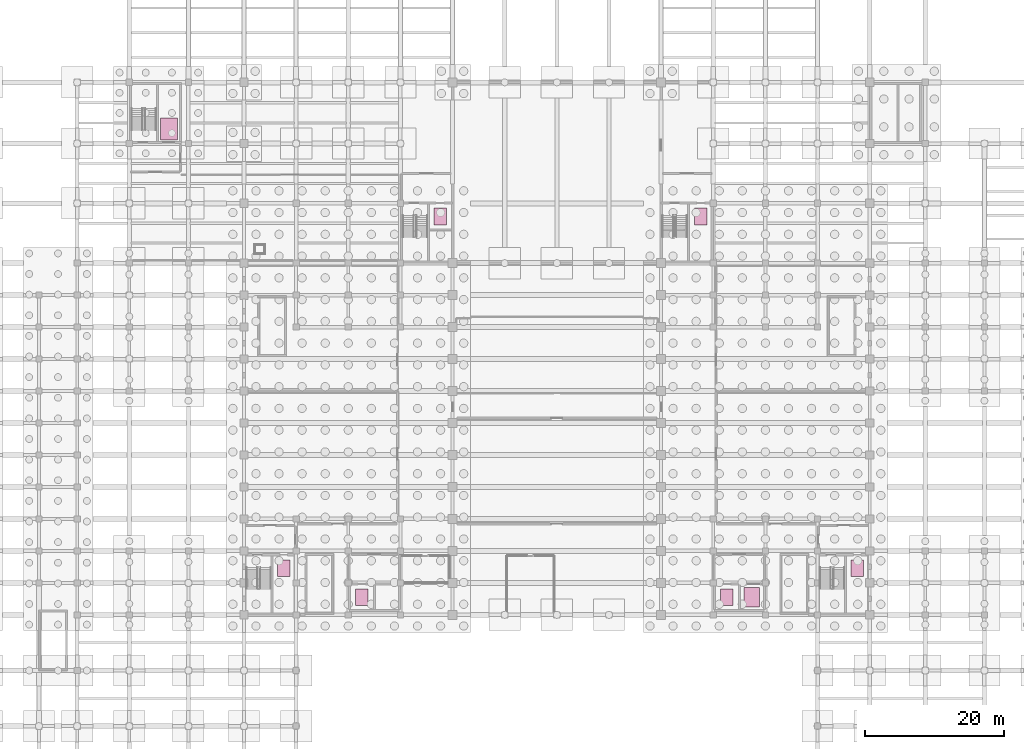
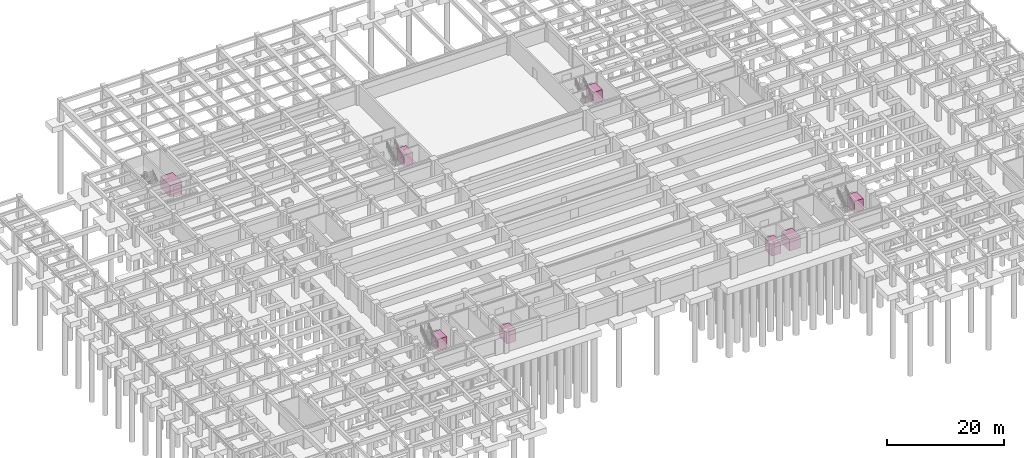
# One storey, part 32 of 32: 8 transport elements.
"""IFC4 building model written with IfcOpenShell, lengths in metres."""

import ifcopenshell
import ifcopenshell.guid

model = None  # the IFC model being written
_history = None  # IfcOwnerHistory: only IFC2X3 demands one
_inside = {}  # id of a spatial element -> (the spatial element, [elements in it])
_under = {}  # id of a project, library or spatial element -> (it, [spatial elements below it])
_declared = {}  # id of a project -> (the project, [libraries it declares])
_typed = {}  # id of a type object -> (the type object, [elements of that type])
_made_of = {}  # id of a material, layer set ... -> (it, [elements and type objects made of it])


def new_model(schema):
    """Start an empty IFC model of exactly this schema.

    Asked for "IFC4X3", IfcOpenShell would pick the latest addendum, in which some entities
    have other attributes; the version numbers below select the first issue.
    IFC2X3 requires an IfcOwnerHistory on every rooted entity: one is made here for all.
    """
    global model, _history
    if schema == "IFC4X3":
        model = ifcopenshell.file(schema_version=(4, 3, 0, 0))
    else:
        model = ifcopenshell.file(schema=schema)
    _inside.clear()
    _under.clear()
    _declared.clear()
    _typed.clear()
    _made_of.clear()
    _history = None
    if model.schema == "IFC2X3":
        org = make("IfcOrganization", Name="unknown")
        user = make(
            "IfcPersonAndOrganization",
            ThePerson=make("IfcPerson", FamilyName="unknown"),
            TheOrganization=org,
        )
        app = make(
            "IfcApplication",
            ApplicationDeveloper=org,
            Version="unknown",
            ApplicationFullName="unknown",
            ApplicationIdentifier="unknown",
        )
        _history = make(
            "IfcOwnerHistory",
            OwningUser=user,
            OwningApplication=app,
            ChangeAction="ADDED",
            CreationDate=0,
        )
    return model


def make(cls, **values):
    """One entity of the class cls with the attributes given. An attribute that is None is left unset."""
    return model.create_entity(
        cls, **{name: value for name, value in values.items() if value is not None}
    )


def rooted(cls, **values):
    """An entity with a GlobalId (a new one), such as an element, a storey or a relation."""
    return make(cls, GlobalId=ifcopenshell.guid.new(), OwnerHistory=_history, **values)


def si_unit(unit_type, name, prefix=None):
    """IfcSIUnit, for example si_unit("LENGTHUNIT", "METRE", prefix="MILLI")."""
    return make("IfcSIUnit", UnitType=unit_type, Prefix=prefix, Name=name)


def assignment(units):
    """IfcUnitAssignment: the units of a project."""
    return None if units is None else make("IfcUnitAssignment", Units=units)


def point(xyz):
    """IfcCartesianPoint."""
    return None if xyz is None else make("IfcCartesianPoint", Coordinates=xyz)


def direction(xyz):
    """IfcDirection."""
    return None if xyz is None else make("IfcDirection", DirectionRatios=xyz)


def frame(location, z_axis=None, x_axis=None):
    """IfcAxis2Placement3D, a coordinate frame: its origin and axes. An axis left out is left unset."""
    return make(
        "IfcAxis2Placement3D",
        Location=point(location),
        Axis=direction(z_axis),
        RefDirection=direction(x_axis),
    )


def frame_2d(location, x_axis=None):
    """IfcAxis2Placement2D, a coordinate frame in the plane: its origin and x axis."""
    return make(
        "IfcAxis2Placement2D", Location=point(location), RefDirection=direction(x_axis)
    )


def origin():
    """The frame at (0, 0, 0) with its axes left unset."""
    return frame((0.0, 0.0, 0.0))


def origin_2d():
    """The frame at (0, 0) in the plane with its x axis left unset."""
    return frame_2d((0.0, 0.0))


def place(relative_to, where):
    """IfcLocalPlacement: puts the frame where relative to a parent placement (None: the world)."""
    return make(
        "IfcLocalPlacement", PlacementRelTo=relative_to, RelativePlacement=where
    )


def context(
    kind, dimensions, precision=None, world=None, true_north=None, identifier=None
):
    """IfcGeometricRepresentationContext, for example the 3D "Model" context."""
    return make(
        "IfcGeometricRepresentationContext",
        ContextIdentifier=identifier,
        ContextType=kind,
        CoordinateSpaceDimension=dimensions,
        Precision=precision,
        WorldCoordinateSystem=world,
        TrueNorth=true_north,
    )


def subcontext(parent, identifier, kind, view, scale=None):
    """IfcGeometricRepresentationSubContext, for example "Body" below "Model"."""
    return make(
        "IfcGeometricRepresentationSubContext",
        ContextIdentifier=identifier,
        ContextType=kind,
        ParentContext=parent,
        TargetScale=scale,
        TargetView=view,
    )


def project(units=None, contexts=None):
    """IfcProject with its units and contexts."""
    return rooted(
        "IfcProject",
        Name="project",
        RepresentationContexts=contexts,
        UnitsInContext=assignment(units),
    )


def spatial(cls, under=None, at=None, **own):
    """A site, building, storey or space (cls), placed at a placement, below another one or the project."""
    s = rooted(cls, ObjectPlacement=at, **own)
    if under is not None:
        _under.setdefault(under.id(), (under, []))[1].append(s)
    return s


def profile(cls, at=None, kind="AREA", **sizes):
    """A parametric profile (cls). Its sizes go by their IFC names, for example OverallWidth=200.0."""
    return make(cls, ProfileType=kind, Position=at, **sizes)


def rectangle(**sizes):
    """IfcRectangleProfileDef."""
    return profile("IfcRectangleProfileDef", **sizes)


def extrude(swept, where, along, depth):
    """IfcExtrudedAreaSolid: the profile swept, set in the frame where, extruded along a direction by depth."""
    return make(
        "IfcExtrudedAreaSolid",
        SweptArea=swept,
        Position=where,
        ExtrudedDirection=direction(along),
        Depth=depth,
    )


def shape(context_of_items, identifier, shape_type, items):
    """IfcShapeRepresentation: the items that make up one representation, for example the "Body"."""
    return make(
        "IfcShapeRepresentation",
        ContextOfItems=context_of_items,
        RepresentationIdentifier=identifier,
        RepresentationType=shape_type,
        Items=items,
    )


def material(Name=None, Category=None):
    """IfcMaterial."""
    return make("IfcMaterial", Name=Name, Category=Category)


def made_of(thing, what):
    """Note that an element or type object is made of a material, layer set ...; save() writes the relation."""
    if what is not None:
        _made_of.setdefault(what.id(), (what, []))[1].append(thing)
    return thing


def type_object(cls, material=None, **own):
    """A type object (cls), such as IfcWallType, which elements share."""
    return made_of(rooted(cls, **own), material)


def element(
    cls,
    number,
    at=None,
    inside=None,
    cuts=None,
    type_object=None,
    material=None,
    context=None,
    identifier="Body",
    shape_type=None,
    held_by="IfcProductDefinitionShape",
    body=None,
    shapes=None,
    **own,
):
    """One element of the class cls, such as IfcWall. Its Tag is "e" and its number.

    at: its placement. inside: the storey or other place that contains it. cuts: it is an
    opening in that element (IfcRelVoidsElement). A single representation is given by context,
    identifier, shape_type and body (its items); several are given by shapes. held_by: the class
    of the entity that holds the representations. save() writes the other relations.
    """
    e = rooted(cls, Tag="e%d" % number, ObjectPlacement=at, **own)
    if body is not None:
        shapes = [shape(context, identifier, shape_type, body)]
    if shapes is not None:
        e.Representation = make(held_by, Representations=shapes)
    if inside is not None:
        _inside.setdefault(inside.id(), (inside, []))[1].append(e)
    if cuts is not None:
        rooted(
            "IfcRelVoidsElement", RelatingBuildingElement=cuts, RelatedOpeningElement=e
        )
    if type_object is not None:
        _typed.setdefault(type_object.id(), (type_object, []))[1].append(e)
    return made_of(e, material)


def aggregate(whole, parts):
    """IfcRelAggregates: a whole, such as a stair, and the parts it consists of."""
    return rooted("IfcRelAggregates", RelatingObject=whole, RelatedObjects=parts)


def save(model, path):
    """Write the relations noted so far, then the file.

    IfcRelAggregates (storeys below a building ...), IfcRelContainedInSpatialStructure (elements
    in a storey), IfcRelDefinesByType, IfcRelAssociatesMaterial and IfcRelDeclares: one each for
    every whole, place, type object, material and project.
    """
    for whole, parts in _under.values():
        aggregate(whole, parts)
    for where, things in _inside.values():
        rooted(
            "IfcRelContainedInSpatialStructure",
            RelatedElements=things,
            RelatingStructure=where,
        )
    for kind, things in _typed.values():
        rooted("IfcRelDefinesByType", RelatedObjects=things, RelatingType=kind)
    for what, things in _made_of.values():
        rooted("IfcRelAssociatesMaterial", RelatedObjects=things, RelatingMaterial=what)
    for by, libraries in _declared.values():
        rooted("IfcRelDeclares", RelatingContext=by, RelatedDefinitions=libraries)
    model.write(path)


model = new_model("IFC4")

# Units and contexts
model_context = context("Model", 3, precision=1e-05, world=origin(), true_north=direction((0.0, 1.0)))
body_context = subcontext(model_context, "Body", "Model", "MODEL_VIEW")
ifc_project = project(units=[si_unit("LENGTHUNIT", "METRE"), si_unit("AREAUNIT", "SQUARE_METRE"), si_unit("VOLUMEUNIT", "CUBIC_METRE"), si_unit("PLANEANGLEUNIT", "RADIAN"), si_unit("MASSUNIT", "GRAM", prefix="KILO")], contexts=[model_context])

# Site, building, storey
site_placement = place(None, origin())
site = spatial("IfcSite", under=ifc_project, at=site_placement, CompositionType="ELEMENT")
building_placement = place(site_placement, origin())
building = spatial("IfcBuilding", under=site, at=building_placement, Name="Muzn Square Opera House", CompositionType="ELEMENT")
storey_placement = place(building_placement, frame((0.0, 0.0, -4.199951171875)))
storey = spatial("IfcBuildingStorey", under=building, at=storey_placement, Name="B1", CompositionType="ELEMENT", Elevation=-4.199951171875)

# Transport elements
ifc_material = material(Name="Brushed stainless steel", Category="metal")
transport_element_type_1 = type_object("IfcTransportElementType", Name="Catering Goods Lift 3500kg", PredefinedType="ELEVATOR", material=ifc_material)
transport_element_1_placement = place(storey_placement, frame((116.050048828125, 24.550048828125, 0.0), z_axis=(0.0, 0.0, 1.0), x_axis=(1.0, 0.0, 0.0)))
element("IfcTransportElement", 1, at=transport_element_1_placement, inside=storey, type_object=transport_element_type_1, Name="Catering and Instrument Goods Lift GL-2", PredefinedType="ELEVATOR", context=body_context, shape_type="SweptSolid", body=[
    extrude(rectangle(XDim=2.199951171875, YDim=2.800048828125, at=origin_2d()), origin(), (0.0, 0.0, 1.0), 2.39990234375),
])
transport_element_type_2 = type_object("IfcTransportElementType", Name="Firefighting Stretcher Lift 1800kg", PredefinedType="ELEVATOR", material=ifc_material)
for number, where, z_axis, x_axis, name in (
    (2, (71.199951171875, 79.300048828125, 0.0), (0.0, 0.0, 1.0), (1.0, 0.0, 0.0), "Firefighting Lift FFL-1"),
    (3, (108.699951171875, 79.300048828125, 0.0), (0.0, 0.0, 1.0), (1.0, 0.0, 0.0), "Firefighting Lift FFL-2"),
):
    element("IfcTransportElement", number, at=place(storey_placement, frame(where, z_axis=z_axis, x_axis=x_axis)), inside=storey, type_object=transport_element_type_2, Name=name, PredefinedType="ELEVATOR", context=body_context, shape_type="SweptSolid", body=[
        extrude(rectangle(XDim=1.800048828125, YDim=2.39990234375, at=origin_2d()), origin(), (0.0, 0.0, 1.0), 2.39990234375),
    ])
transport_element_type_3 = type_object("IfcTransportElementType", Name="Passenger Lift 1600kg", PredefinedType="ELEVATOR", material=ifc_material)
for number, where, z_axis, x_axis, name in (
    (4, (48.699951171875, 28.699951171875, 0.0), (0.0, 0.0, 1.0), (1.0, 0.0, 0.0), "Passenger Lift PL-1"),
    (5, (131.199951171875, 28.699951171875, 0.0), (0.0, 0.0, 1.0), (1.0, 0.0, 0.0), "Passenger Lift PL-3"),
    (6, (59.949951171875, 24.550048828125, 0.0), (0.0, 0.0, 1.0), (1.0, 0.0, 0.0), "Passenger Lift PL-2"),
    (7, (112.449951171875, 24.550048828125, 0.0), (0.0, 0.0, 1.0), (1.0, 0.0, 0.0), "Passenger Lift PL-4"),
):
    element("IfcTransportElement", number, at=place(storey_placement, frame(where, z_axis=z_axis, x_axis=x_axis)), inside=storey, type_object=transport_element_type_3, Name=name, PredefinedType="ELEVATOR", context=body_context, shape_type="SweptSolid", body=[
        extrude(rectangle(XDim=1.800048828125, YDim=2.39990234375, at=origin_2d()), origin(), (0.0, 0.0, 1.0), 2.39990234375),
    ])
transport_element_type_4 = type_object("IfcTransportElementType", Name="Scenery Goods Lift 4500kg", PredefinedType="ELEVATOR", material=ifc_material)
transport_element_2_placement = place(storey_placement, frame((32.199951171875, 91.89990234375, 0.0), z_axis=(0.0, 0.0, 1.0), x_axis=(1.0, 0.0, 0.0)))
element("IfcTransportElement", 8, at=transport_element_2_placement, inside=storey, type_object=transport_element_type_4, Name="Scenery Goods Lift GL-1", PredefinedType="ELEVATOR", context=body_context, shape_type="SweptSolid", body=[
    extrude(rectangle(XDim=2.39990234375, YDim=3.199951171875, at=origin_2d()), origin(), (0.0, 0.0, 1.0), 2.39990234375),
])

save(model, "model.ifc")
